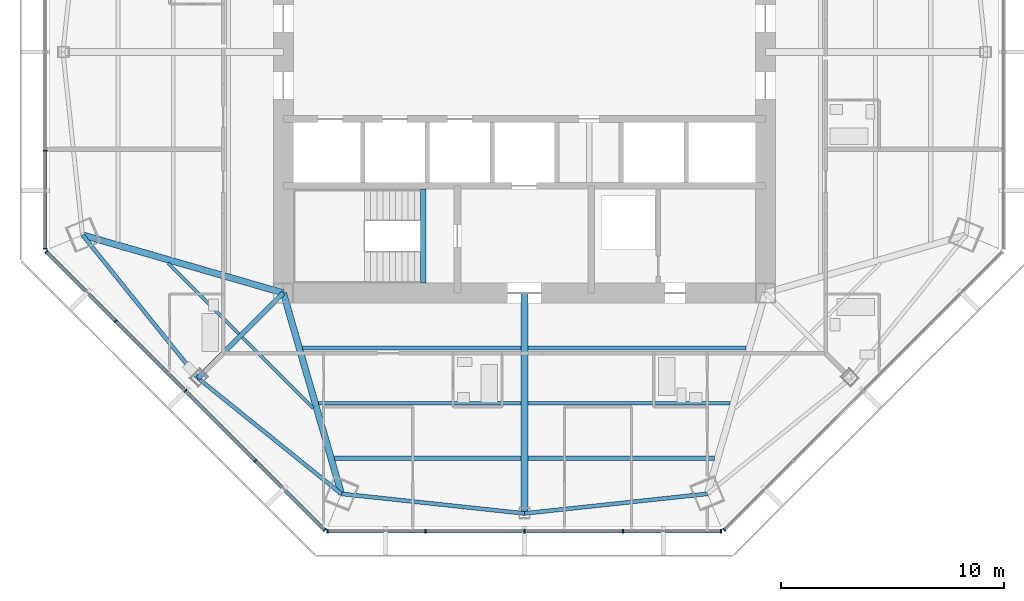
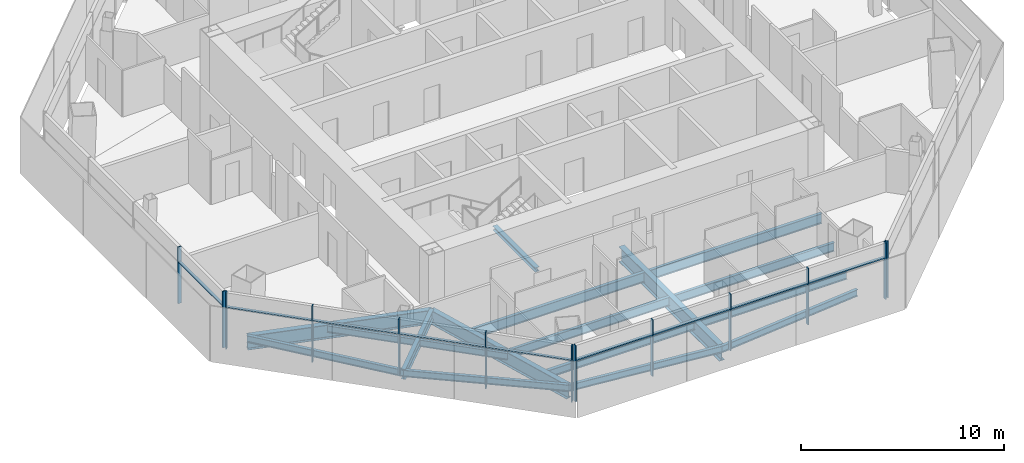
# One storey, part 2 of 15: 22 members, 17 beams, 4 elements without a shape of their own.
"""IFC4 building model written with IfcOpenShell, lengths in metres."""

from ifc_helpers import new_model, si_unit, direction, frame, origin, origin_2d, place, context, subcontext, project, spatial, rectangle, i_section, extrude, source, transform, mapped, material, material_profile, profile_set, type_object, type_shapes, element, aggregate, save


model = new_model("IFC4")

# Units and contexts
model_context = context("Model", 3, precision=1e-05, world=origin(), true_north=direction((0.0, 1.0)))
body_context = subcontext(model_context, "Body", "Model", "MODEL_VIEW")
ifc_project = project(units=[si_unit("LENGTHUNIT", "METRE"), si_unit("AREAUNIT", "SQUARE_METRE"), si_unit("VOLUMEUNIT", "CUBIC_METRE"), si_unit("PLANEANGLEUNIT", "RADIAN"), si_unit("MASSUNIT", "GRAM", prefix="KILO")], contexts=[model_context])

# Site, building, storey
site_placement = place(None, origin())
site = spatial("IfcSite", under=ifc_project, at=site_placement, CompositionType="ELEMENT")
building_placement = place(site_placement, origin())
building = spatial("IfcBuilding", under=site, at=building_placement, Name="Mashrafa Tower", CompositionType="ELEMENT")
storey_placement = place(building_placement, frame((0.0, 0.0, 231.199951171875)))
storey = spatial("IfcBuildingStorey", under=building, at=storey_placement, Name="L54", CompositionType="ELEMENT", Elevation=231.199951171875)

# Beams
ifc_material_1 = material(Name="Steel ASTM A992", Category="steel")
ifc_material_profile_1 = material_profile(ifc_material_1, i_section(OverallWidth=0.140380859375, OverallDepth=0.40380859375, WebThickness=0.007080078125, FlangeThickness=0.01123046875, FilletRadius=0.01025390625, at=origin_2d()), Name="W16X31")
ifc_profile_set_1 = profile_set([ifc_material_profile_1], Name="Steel ASTM A992")
beam_type_1 = type_object("IfcBeamType", Name="Beam W16X31", PredefinedType="BEAM", material=ifc_profile_set_1)
for number, where, z_axis, x_axis, name in (
    (1, (-12.792236328125, -12.630859375, -0.40185546875), (-0.707106781187, 0.707106781187, 0.0), (-0.707106781187, -0.707106781187, 0.0), "Floor beam L54 008"),
    (2, (-9.462890625, -15.960205078125, -0.40185546875), (-0.707106781187, 0.707106781187, 0.0), (-0.707106781187, -0.707106781187, 0.0), "Floor beam L54 012"),
):
    element("IfcBeam", number, at=place(storey_placement, frame(where, z_axis=z_axis, x_axis=x_axis)), inside=storey, type_object=beam_type_1, Name=name, PredefinedType="BEAM", context=body_context, shape_type="SweptSolid", body=[
        extrude(i_section(OverallWidth=0.140380859375, OverallDepth=0.40380859375, WebThickness=0.007080078125, FlangeThickness=0.01123046875, FilletRadius=0.01025390625, at=origin_2d()), origin(), (0.0, 0.0, 1.0), 4.480224609375),
    ])
ifc_material_2 = material(Name="Steel ASTM A992", Category="steel")
ifc_material_profile_2 = material_profile(ifc_material_2, i_section(OverallWidth=0.177734375, OverallDepth=0.406494140625, WebThickness=0.0078125, FlangeThickness=0.012939453125, FilletRadius=0.01025390625, at=origin_2d()), Name="W16X40")
ifc_profile_set_2 = profile_set([ifc_material_profile_2], Name="Steel ASTM A992")
beam_type_2 = type_object("IfcBeamType", Name="Beam W16X40", PredefinedType="BEAM", material=ifc_profile_set_2)
for number, where, z_axis, x_axis, name in (
    (3, (-19.8017578125, -8.2021484375, -0.403076171875), (0.627794101405, -0.778379448753, 0.0), (0.778379448753, 0.627794101405, 0.0), "Spandrel beam L54 050"),
    (4, (-14.623046875, -14.623046875, -0.403076171875), (0.778379448753, -0.627794101405, 0.0), (0.627794101405, 0.778379448753, 0.0), "Spandrel beam L54 052"),
    (5, (-8.2021484375, -19.8017578125, -0.403076171875), (0.994314079337, -0.106487143037, 0.0), (0.106487143037, 0.994314079337, 0.0), "Spandrel beam L54 054"),
    (6, (0.0, -20.68017578125, -0.403076171875), (0.994314079337, 0.106487143037, 0.0), (-0.106487143037, 0.994314079337, 0.0), "Spandrel beam L54 056"),
):
    element("IfcBeam", number, at=place(storey_placement, frame(where, z_axis=z_axis, x_axis=x_axis)), inside=storey, type_object=beam_type_2, Name=name, PredefinedType="BEAM", context=body_context, shape_type="SweptSolid", body=[
        extrude(i_section(OverallWidth=0.177734375, OverallDepth=0.406494140625, WebThickness=0.0078125, FlangeThickness=0.012939453125, FilletRadius=0.01025390625, at=origin_2d()), origin(), (0.0, 0.0, 1.0), 8.2490234375),
    ])
ifc_material_3 = material(Name="Steel ASTM A992", Category="steel")
ifc_material_profile_3 = material_profile(ifc_material_3, i_section(OverallWidth=0.191162109375, OverallDepth=0.459716796875, WebThickness=0.010009765625, FlangeThickness=0.01611328125, FilletRadius=0.01025390625, at=origin_2d()), Name="W18X55")
ifc_profile_set_3 = profile_set([ifc_material_profile_3], Name="Steel ASTM A992")
beam_type_3 = type_object("IfcBeamType", Name="Beam W18X55", PredefinedType="BEAM", material=ifc_profile_set_3)
for number, where, z_axis, x_axis, name in (
    (7, (-0.15380859375, -18.210205078125, -0.429931640625), (-1.0, 0.0, 0.0), (0.0, -1.0, 0.0), "Floor beam L54 014"),
    (8, (8.509521484375, -18.210205078125, -0.429931640625), (-1.0, 0.0, 0.0), (0.0, -1.0, 0.0), "Floor beam L54 020"),
):
    element("IfcBeam", number, at=place(storey_placement, frame(where, z_axis=z_axis, x_axis=x_axis)), inside=storey, type_object=beam_type_3, Name=name, PredefinedType="BEAM", context=body_context, shape_type="SweptSolid", body=[
        extrude(i_section(OverallWidth=0.191162109375, OverallDepth=0.459716796875, WebThickness=0.010009765625, FlangeThickness=0.01611328125, FilletRadius=0.01025390625, at=origin_2d()), origin(), (0.0, 0.0, 1.0), 8.355712890625),
    ])
ifc_material_4 = material(Name="Steel ASTM A992", Category="steel")
ifc_material_profile_4 = material_profile(ifc_material_4, i_section(OverallWidth=0.1650390625, OverallDepth=0.52587890625, WebThickness=0.0087890625, FlangeThickness=0.011474609375, FilletRadius=0.0126953125, at=origin_2d()), Name="W21X44")
ifc_profile_set_4 = profile_set([ifc_material_profile_4], Name="Steel ASTM A992")
beam_type_4 = type_object("IfcBeamType", Name="Beam W21X44", PredefinedType="BEAM", material=ifc_profile_set_4)
for number, where, z_axis, x_axis, name in (
    (9, (-0.15380859375, -15.739990234375, -0.462890625), (-1.0, 0.0, 0.0), (0.0, -1.0, 0.0), "Floor beam L54 015"),
    (10, (9.222412109375, -15.739990234375, -0.462890625), (-1.0, 0.0, 0.0), (0.0, -1.0, 0.0), "Floor beam L54 022"),
):
    element("IfcBeam", number, at=place(storey_placement, frame(where, z_axis=z_axis, x_axis=x_axis)), inside=storey, type_object=beam_type_4, Name=name, PredefinedType="BEAM", context=body_context, shape_type="SweptSolid", body=[
        extrude(i_section(OverallWidth=0.1650390625, OverallDepth=0.52587890625, WebThickness=0.0087890625, FlangeThickness=0.011474609375, FilletRadius=0.0126953125, at=origin_2d()), origin(), (0.0, 0.0, 1.0), 9.068603515625),
    ])
ifc_material_5 = material(Name="Steel ASTM A992", Category="steel")
ifc_material_profile_5 = material_profile(ifc_material_5, i_section(OverallWidth=0.177978515625, OverallDepth=0.599365234375, WebThickness=0.010009765625, FlangeThickness=0.012939453125, FilletRadius=0.012939453125, at=origin_2d()), Name="W24X55")
ifc_profile_set_5 = profile_set([ifc_material_profile_5], Name="Steel ASTM A992")
beam_type_5 = type_object("IfcBeamType", Name="Beam W24X55", PredefinedType="BEAM", material=ifc_profile_set_5)
for number, where, z_axis, x_axis, name in (
    (11, (-0.15380859375, -13.27001953125, -0.499755859375), (-1.0, 0.0, 0.0), (0.0, -1.0, 0.0), "Floor beam L54 016"),
    (12, (9.935302734375, -13.27001953125, -0.499755859375), (-1.0, 0.0, 0.0), (0.0, -1.0, 0.0), "Floor beam L54 023"),
):
    element("IfcBeam", number, at=place(storey_placement, frame(where, z_axis=z_axis, x_axis=x_axis)), inside=storey, type_object=beam_type_5, Name=name, PredefinedType="BEAM", context=body_context, shape_type="SweptSolid", body=[
        extrude(i_section(OverallWidth=0.177978515625, OverallDepth=0.599365234375, WebThickness=0.010009765625, FlangeThickness=0.012939453125, FilletRadius=0.012939453125, at=origin_2d()), origin(), (0.0, 0.0, 1.0), 9.781494140625),
    ])
ifc_material_6 = material(Name="Steel ASTM A992", Category="steel")
ifc_material_profile_6 = material_profile(ifc_material_6, i_section(OverallWidth=0.228271484375, OverallDepth=0.607177734375, WebThickness=0.01123046875, FlangeThickness=0.017333984375, FilletRadius=0.0126953125, at=origin_2d()), Name="W24X76")
ifc_profile_set_6 = profile_set([ifc_material_profile_6], Name="Steel ASTM A992")
beam_type_6 = type_object("IfcBeamType", Name="Beam W24X76", PredefinedType="BEAM", material=ifc_profile_set_6)
beam_1_placement = place(storey_placement, frame((-10.800048828125, -10.800048828125, -0.50341796875), z_axis=(-0.707106781187, -0.707106781187, 0.0), x_axis=(0.707106781187, -0.707106781187, 0.0)))
element("IfcBeam", 13, at=beam_1_placement, inside=storey, type_object=beam_type_6, Name="Radial girder L54 034", PredefinedType="BEAM", context=body_context, shape_type="SweptSolid", body=[
    extrude(i_section(OverallWidth=0.228271484375, OverallDepth=0.607177734375, WebThickness=0.01123046875, FlangeThickness=0.017333984375, FilletRadius=0.0126953125, at=origin_2d()), origin(), (0.0, 0.0, 1.0), 5.406494140625),
])
ifc_material_7 = material(Name="Steel ASTM A992", Category="steel")
ifc_material_profile_7 = material_profile(ifc_material_7, i_section(OverallWidth=0.2919921875, OverallDepth=0.845703125, WebThickness=0.015380859375, FlangeThickness=0.0244140625, FilletRadius=0.017333984375, at=origin_2d()), Name="W33X141")
ifc_profile_set_7 = profile_set([ifc_material_profile_7], Name="Steel ASTM A992")
beam_type_7 = type_object("IfcBeamType", Name="Beam W33X141", PredefinedType="BEAM", material=ifc_profile_set_7)
for number, where, z_axis, x_axis, name in (
    (14, (-10.800048828125, -10.800048828125, -0.622802734375), (-0.960787952424, 0.277284169178, 0.0), (-0.277284169178, -0.960787952424, 0.0), "Radial girder L54 033"),
    (15, (-10.800048828125, -10.800048828125, -0.622802734375), (0.277284169178, -0.960787952424, 0.0), (0.960787952424, 0.277284169178, 0.0), "Radial girder L54 035"),
):
    element("IfcBeam", number, at=place(storey_placement, frame(where, z_axis=z_axis, x_axis=x_axis)), inside=storey, type_object=beam_type_7, Name=name, PredefinedType="BEAM", context=body_context, shape_type="SweptSolid", body=[
        extrude(i_section(OverallWidth=0.2919921875, OverallDepth=0.845703125, WebThickness=0.015380859375, FlangeThickness=0.0244140625, FilletRadius=0.017333984375, at=origin_2d()), origin(), (0.0, 0.0, 1.0), 9.369140625),
    ])
ifc_material_8 = material(Name="Steel ASTM A992", Category="steel")
ifc_material_profile_8 = material_profile(ifc_material_8, i_section(OverallWidth=0.307373046875, OverallDepth=0.927001953125, WebThickness=0.01953125, FlangeThickness=0.031982421875, FilletRadius=0.01904296875, at=origin_2d()), Name="W36X194")
ifc_profile_set_8 = profile_set([ifc_material_profile_8], Name="Steel ASTM A992")
beam_type_8 = type_object("IfcBeamType", Name="Beam W36X194", PredefinedType="BEAM", material=ifc_profile_set_8)
beam_2_placement = place(storey_placement, frame((0.0, -10.800048828125, -0.66357421875), z_axis=(0.0, -1.0, 0.0), x_axis=(1.0, 0.0, 0.0)))
element("IfcBeam", 16, at=beam_2_placement, inside=storey, type_object=beam_type_8, Name="Radial girder L54 040", PredefinedType="BEAM", context=body_context, shape_type="SweptSolid", body=[
    extrude(i_section(OverallWidth=0.307373046875, OverallDepth=0.927001953125, WebThickness=0.01953125, FlangeThickness=0.031982421875, FilletRadius=0.01904296875, at=origin_2d()), origin(), (0.0, 0.0, 1.0), 9.880126953125),
])
ifc_material_9 = material(Name="Steel ASTM A992", Category="steel")
ifc_material_profile_9 = material_profile(ifc_material_9, i_section(OverallWidth=0.25390625, OverallDepth=0.25390625, WebThickness=0.008544921875, FlangeThickness=0.01416015625, FilletRadius=0.010009765625, at=origin_2d()), Name="W10X49")
ifc_profile_set_9 = profile_set([ifc_material_profile_9], Name="Steel ASTM A992")
beam_type_9 = type_object("IfcBeamType", Name="Hoistway beam W10X49", PredefinedType="BEAM", material=ifc_profile_set_9)
beam_3_placement = place(storey_placement, frame((-4.530029296875, -10.35009765625, -0.326904296875), z_axis=(0.0, 1.0, 0.0), x_axis=(-1.0, 0.0, 0.0)))
element("IfcBeam", 17, at=beam_3_placement, inside=storey, type_object=beam_type_9, Name="Stair S3 landing beam L54", PredefinedType="BEAM", context=body_context, shape_type="SweptSolid", body=[
    extrude(i_section(OverallWidth=0.25390625, OverallDepth=0.25390625, WebThickness=0.008544921875, FlangeThickness=0.01416015625, FilletRadius=0.010009765625, at=origin_2d()), origin(), (0.0, 0.0, 1.0), 4.2001953125),
])

# Curtain wall, members
ifc_material_10 = material(Name="Unitised aluminium curtain wall", Category="aluminium")
curtain_wall_type = type_object("IfcCurtainWallType", Name="Apartment curtain wall, zone 3 CW-C 180 deep", PredefinedType="NOTDEFINED", material=ifc_material_10)
curtain_wall_1_placement = place(storey_placement, origin())
curtain_wall_1 = element("IfcCurtainWall", 18, at=curtain_wall_1_placement, inside=storey, type_object=curtain_wall_type, Name="Apartment curtain wall, zone 3 L54 west", PredefinedType="NOTDEFINED")
ifc_material_11 = material(Name="Extruded aluminium mullion", Category="aluminium")
ifc_material_profile_10 = material_profile(ifc_material_11, rectangle(XDim=0.179931640625, YDim=0.06005859375, at=origin_2d()), Name="Mullion 60x180")
ifc_profile_set_10 = profile_set([ifc_material_profile_10], Name="Extruded aluminium mullion")
member_type_1 = type_object("IfcMemberType", Name="Mullion CW-C 60 x 180", PredefinedType="MULLION", material=ifc_profile_set_10)
shared_shape_1 = source(origin(), body_context, "Body", "SweptSolid", [
    extrude(rectangle(XDim=0.179931640625, YDim=0.06005859375, at=origin_2d()), origin(), (0.0, 0.0, 1.0), 3.400146484375),
])
type_shapes(member_type_1, [shared_shape_1])
member_1_placement = place(storey_placement, frame((-21.474365234375, -4.423828125, 0.0), z_axis=(0.0, 0.0, 1.0), x_axis=(1.0, 0.0, 0.0)))
member_1 = element("IfcMember", 19, at=member_1_placement, type_object=member_type_1, Name="CW-C mullion 4", PredefinedType="MULLION", context=body_context, shape_type="MappedRepresentation", body=[
    mapped(shared_shape_1, transform((0.0, 0.0, 0.0))),
])
member_2_placement = place(storey_placement, frame((-21.474365234375, -8.817626953125, 0.0), z_axis=(0.0, 0.0, 1.0), x_axis=(1.0, 0.0, 0.0)))
member_2 = element("IfcMember", 20, at=member_2_placement, type_object=member_type_1, Name="CW-C mullion 5", PredefinedType="MULLION", context=body_context, shape_type="MappedRepresentation", body=[
    mapped(shared_shape_1, transform((0.0, 0.0, 0.0))),
])

curtain_wall_2_placement = place(storey_placement, origin())
curtain_wall_2 = element("IfcCurtainWall", 21, at=curtain_wall_2_placement, inside=storey, type_object=curtain_wall_type, Name="Apartment curtain wall, zone 3 L54 south-west", PredefinedType="NOTDEFINED")
member_3_placement = place(storey_placement, frame((-21.419677734375, -8.94970703125, 0.0), z_axis=(0.0, 0.0, 1.0), x_axis=(0.707106781187, 0.707106781187, 0.0)))
member_3 = element("IfcMember", 22, at=member_3_placement, type_object=member_type_1, Name="CW-C mullion 1", PredefinedType="MULLION", context=body_context, shape_type="MappedRepresentation", body=[
    mapped(shared_shape_1, transform((0.0, 0.0, 0.0))),
])
member_4_placement = place(storey_placement, frame((-18.312744140625, -12.056640625, 0.0), z_axis=(0.0, 0.0, 1.0), x_axis=(0.707106781187, 0.707106781187, 0.0)))
member_4 = element("IfcMember", 23, at=member_4_placement, type_object=member_type_1, Name="CW-C mullion 2", PredefinedType="MULLION", context=body_context, shape_type="MappedRepresentation", body=[
    mapped(shared_shape_1, transform((0.0, 0.0, 0.0))),
])
member_5_placement = place(storey_placement, frame((-15.184814453125, -15.184814453125, 0.0), z_axis=(0.0, 0.0, 1.0), x_axis=(0.707106781187, 0.707106781187, 0.0)))
member_5 = element("IfcMember", 24, at=member_5_placement, type_object=member_type_1, Name="CW-C mullion 3", PredefinedType="MULLION", context=body_context, shape_type="MappedRepresentation", body=[
    mapped(shared_shape_1, transform((0.0, 0.0, 0.0))),
])
member_6_placement = place(storey_placement, frame((-12.056640625, -18.312744140625, 0.0), z_axis=(0.0, 0.0, 1.0), x_axis=(0.707106781187, 0.707106781187, 0.0)))
member_6 = element("IfcMember", 25, at=member_6_placement, type_object=member_type_1, Name="CW-C mullion 4", PredefinedType="MULLION", context=body_context, shape_type="MappedRepresentation", body=[
    mapped(shared_shape_1, transform((0.0, 0.0, 0.0))),
])
member_7_placement = place(storey_placement, frame((-8.94970703125, -21.419677734375, 0.0), z_axis=(0.0, 0.0, 1.0), x_axis=(0.707106781187, 0.707106781187, 0.0)))
member_7 = element("IfcMember", 26, at=member_7_placement, type_object=member_type_1, Name="CW-C mullion 5", PredefinedType="MULLION", context=body_context, shape_type="MappedRepresentation", body=[
    mapped(shared_shape_1, transform((0.0, 0.0, 0.0))),
])

curtain_wall_3_placement = place(storey_placement, origin())
curtain_wall_3 = element("IfcCurtainWall", 27, at=curtain_wall_3_placement, inside=storey, type_object=curtain_wall_type, Name="Apartment curtain wall, zone 3 L54 south", PredefinedType="NOTDEFINED")
member_8_placement = place(storey_placement, frame((-8.817626953125, -21.474365234375, 0.0), z_axis=(0.0, 0.0, 1.0), x_axis=(0.0, 1.0, 0.0)))
member_8 = element("IfcMember", 28, at=member_8_placement, type_object=member_type_1, Name="CW-C mullion 1", PredefinedType="MULLION", context=body_context, shape_type="MappedRepresentation", body=[
    mapped(shared_shape_1, transform((0.0, 0.0, 0.0))),
])
member_9_placement = place(storey_placement, frame((-4.423828125, -21.474365234375, 0.0), z_axis=(0.0, 0.0, 1.0), x_axis=(0.0, 1.0, 0.0)))
member_9 = element("IfcMember", 29, at=member_9_placement, type_object=member_type_1, Name="CW-C mullion 2", PredefinedType="MULLION", context=body_context, shape_type="MappedRepresentation", body=[
    mapped(shared_shape_1, transform((0.0, 0.0, 0.0))),
])
member_10_placement = place(storey_placement, frame((0.0, -21.474365234375, 0.0), z_axis=(0.0, 0.0, 1.0), x_axis=(0.0, 1.0, 0.0)))
member_10 = element("IfcMember", 30, at=member_10_placement, type_object=member_type_1, Name="CW-C mullion 3", PredefinedType="MULLION", context=body_context, shape_type="MappedRepresentation", body=[
    mapped(shared_shape_1, transform((0.0, 0.0, 0.0))),
])
member_11_placement = place(storey_placement, frame((4.423828125, -21.474365234375, 0.0), z_axis=(0.0, 0.0, 1.0), x_axis=(0.0, 1.0, 0.0)))
member_11 = element("IfcMember", 31, at=member_11_placement, type_object=member_type_1, Name="CW-C mullion 4", PredefinedType="MULLION", context=body_context, shape_type="MappedRepresentation", body=[
    mapped(shared_shape_1, transform((0.0, 0.0, 0.0))),
])
member_12_placement = place(storey_placement, frame((8.817626953125, -21.474365234375, 0.0), z_axis=(0.0, 0.0, 1.0), x_axis=(0.0, 1.0, 0.0)))
member_12 = element("IfcMember", 32, at=member_12_placement, type_object=member_type_1, Name="CW-C mullion 5", PredefinedType="MULLION", context=body_context, shape_type="MappedRepresentation", body=[
    mapped(shared_shape_1, transform((0.0, 0.0, 0.0))),
])

# Curtain wall, member
curtain_wall_4_placement = place(storey_placement, origin())
curtain_wall_4 = element("IfcCurtainWall", 33, at=curtain_wall_4_placement, inside=storey, type_object=curtain_wall_type, Name="Apartment curtain wall, zone 3 L54 south-east", PredefinedType="NOTDEFINED")
member_13_placement = place(storey_placement, frame((8.94970703125, -21.419677734375, 0.0), z_axis=(0.0, 0.0, 1.0), x_axis=(-0.707106781187, 0.707106781187, 0.0)))
member_13 = element("IfcMember", 34, at=member_13_placement, type_object=member_type_1, Name="CW-C mullion 1", PredefinedType="MULLION", context=body_context, shape_type="MappedRepresentation", body=[
    mapped(shared_shape_1, transform((0.0, 0.0, 0.0))),
])
aggregate(curtain_wall_4, [member_13])

# Member
ifc_material_12 = material(Name="Extruded aluminium transom", Category="aluminium")
ifc_material_profile_11 = material_profile(ifc_material_12, rectangle(XDim=0.14404296875, YDim=0.074951171875, at=origin_2d()), Name="Transom 75x144")
ifc_profile_set_11 = profile_set([ifc_material_profile_11], Name="Extruded aluminium transom")
member_type_2 = type_object("IfcMemberType", Name="Transom CW-C 75 x 144", PredefinedType="MULLION", material=ifc_profile_set_11)
shared_shape_2 = source(origin(), body_context, "Body", "SweptSolid", [
    extrude(rectangle(XDim=0.14404296875, YDim=0.074951171875, at=origin_2d()), origin(), (0.0, 0.0, 1.0), 4.333740234375),
])
member_14_placement = place(storey_placement, frame((-21.474365234375, -4.453857421875, 2.5), z_axis=(0.0, -1.0, 0.0), x_axis=(1.0, 0.0, 0.0)))
member_14 = element("IfcMember", 35, at=member_14_placement, type_object=member_type_2, Name="CW-C transom 4", PredefinedType="MULLION", context=body_context, shape_type="MappedRepresentation", body=[
    mapped(shared_shape_2, transform((0.0, 0.0, 0.0))),
])

aggregate(curtain_wall_1, [member_1, member_2, member_14])

member_15_placement = place(storey_placement, frame((-21.3984375, -8.970947265625, 2.5), z_axis=(0.707106781187, -0.707106781187, 0.0), x_axis=(0.707106781187, 0.707106781187, 0.0)))
member_15 = element("IfcMember", 36, at=member_15_placement, type_object=member_type_2, Name="CW-C transom 1", PredefinedType="MULLION", context=body_context, shape_type="MappedRepresentation", body=[
    mapped(shared_shape_2, transform((0.0, 0.0, 0.0))),
])

member_16_placement = place(storey_placement, frame((-12.035400390625, -18.333984375, 2.5), z_axis=(0.707106781187, -0.707106781187, 0.0), x_axis=(0.707106781187, 0.707106781187, 0.0)))
member_16 = element("IfcMember", 37, at=member_16_placement, type_object=member_type_2, Name="CW-C transom 4", PredefinedType="MULLION", context=body_context, shape_type="MappedRepresentation", body=[
    mapped(shared_shape_2, transform((0.0, 0.0, 0.0))),
])

member_17_placement = place(storey_placement, frame((-8.78759765625, -21.474365234375, 2.5), z_axis=(1.0, 0.0, 0.0), x_axis=(0.0, 1.0, 0.0)))
member_17 = element("IfcMember", 38, at=member_17_placement, type_object=member_type_2, Name="CW-C transom 1", PredefinedType="MULLION", context=body_context, shape_type="MappedRepresentation", body=[
    mapped(shared_shape_2, transform((0.0, 0.0, 0.0))),
])

member_18_placement = place(storey_placement, frame((4.453857421875, -21.474365234375, 2.5), z_axis=(1.0, 0.0, 0.0), x_axis=(0.0, 1.0, 0.0)))
member_18 = element("IfcMember", 39, at=member_18_placement, type_object=member_type_2, Name="CW-C transom 4", PredefinedType="MULLION", context=body_context, shape_type="MappedRepresentation", body=[
    mapped(shared_shape_2, transform((0.0, 0.0, 0.0))),
])

shared_shape_3 = source(origin(), body_context, "Body", "SweptSolid", [
    extrude(rectangle(XDim=0.14404296875, YDim=0.074951171875, at=origin_2d()), origin(), (0.0, 0.0, 1.0), 4.36376953125),
])
type_shapes(member_type_2, [shared_shape_2, shared_shape_3])
member_19_placement = place(storey_placement, frame((-18.29150390625, -12.077880859375, 2.5), z_axis=(0.707106781187, -0.707106781187, 0.0), x_axis=(0.707106781187, 0.707106781187, 0.0)))
member_19 = element("IfcMember", 40, at=member_19_placement, type_object=member_type_2, Name="CW-C transom 2", PredefinedType="MULLION", context=body_context, shape_type="MappedRepresentation", body=[
    mapped(shared_shape_3, transform((0.0, 0.0, 0.0))),
])

member_20_placement = place(storey_placement, frame((-15.16357421875, -15.205810546875, 2.5), z_axis=(0.707106781187, -0.707106781187, 0.0), x_axis=(0.707106781187, 0.707106781187, 0.0)))
member_20 = element("IfcMember", 41, at=member_20_placement, type_object=member_type_2, Name="CW-C transom 3", PredefinedType="MULLION", context=body_context, shape_type="MappedRepresentation", body=[
    mapped(shared_shape_3, transform((0.0, 0.0, 0.0))),
])

aggregate(curtain_wall_2, [member_3, member_4, member_5, member_6, member_7, member_15, member_19, member_20, member_16])

member_21_placement = place(storey_placement, frame((-4.393798828125, -21.474365234375, 2.5), z_axis=(1.0, 0.0, 0.0), x_axis=(0.0, 1.0, 0.0)))
member_21 = element("IfcMember", 42, at=member_21_placement, type_object=member_type_2, Name="CW-C transom 2", PredefinedType="MULLION", context=body_context, shape_type="MappedRepresentation", body=[
    mapped(shared_shape_3, transform((0.0, 0.0, 0.0))),
])

member_22_placement = place(storey_placement, frame((0.030029296875, -21.474365234375, 2.5), z_axis=(1.0, 0.0, 0.0), x_axis=(0.0, 1.0, 0.0)))
member_22 = element("IfcMember", 43, at=member_22_placement, type_object=member_type_2, Name="CW-C transom 3", PredefinedType="MULLION", context=body_context, shape_type="MappedRepresentation", body=[
    mapped(shared_shape_3, transform((0.0, 0.0, 0.0))),
])

aggregate(curtain_wall_3, [member_8, member_9, member_10, member_11, member_12, member_17, member_21, member_22, member_18])

save(model, "model.ifc")
